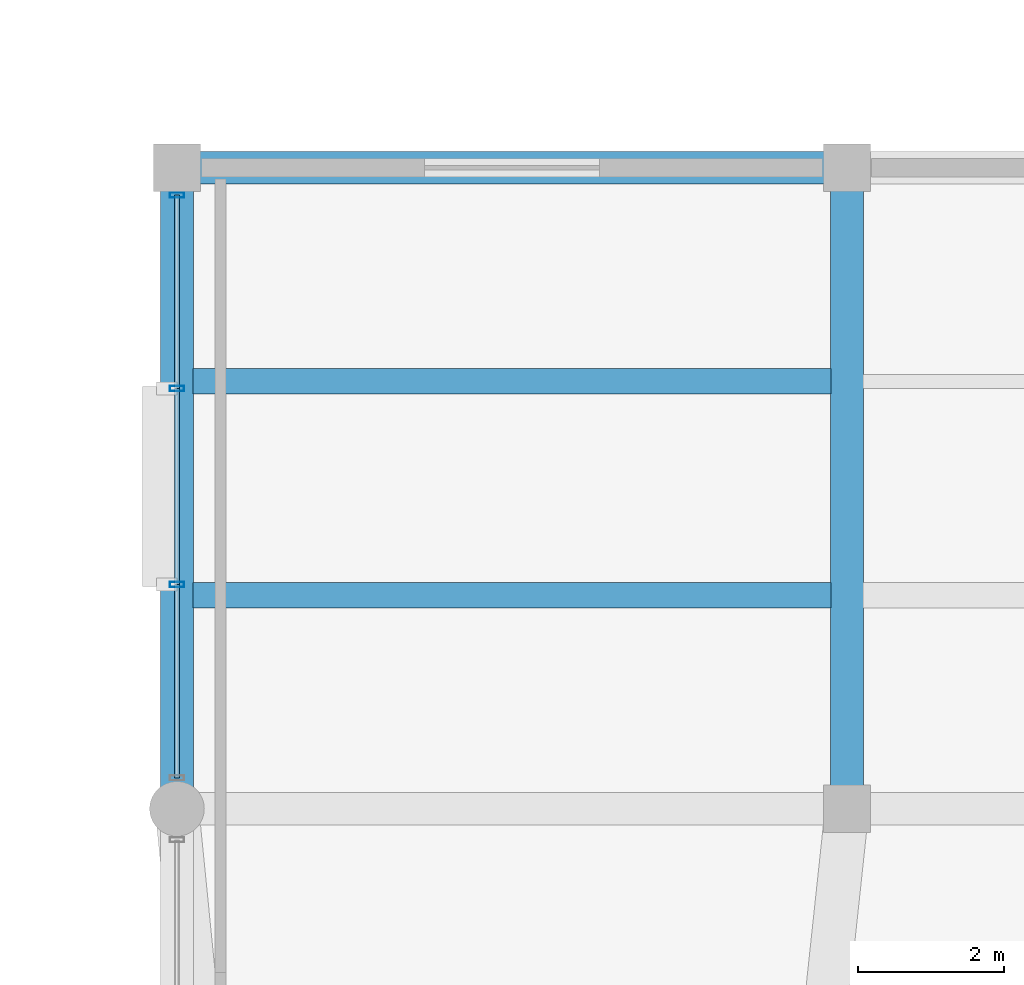
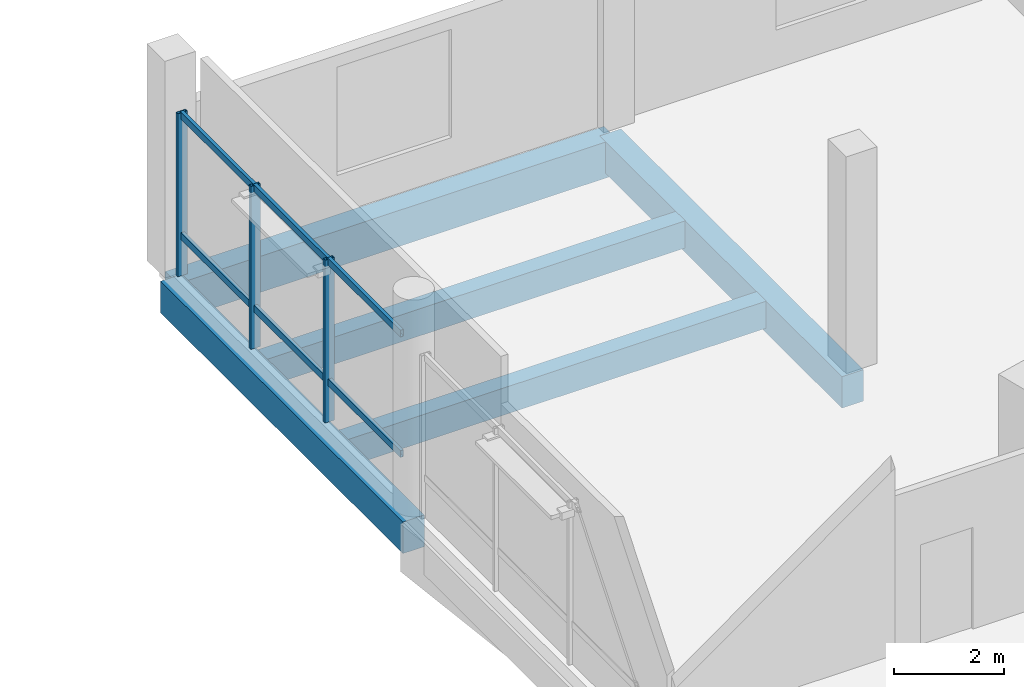
# One storey, part 31 of 71: 9 members, 5 beams, 1 element without a shape of its own.
"""IFC4 building model written with IfcOpenShell, lengths in metres."""

from ifc_helpers import new_model, si_unit, direction, frame, origin, origin_2d, place, context, subcontext, project, spatial, rectangle, hollow_rectangle, extrude, material, layer, layer_set, material_profile, profile_set, type_object, element, aggregate, save


model = new_model("IFC4")

# Units and contexts
model_context = context("Model", 3, precision=1e-05, world=origin(), true_north=direction((0.0, 1.0)))
body_context = subcontext(model_context, "Body", "Model", "MODEL_VIEW")
ifc_project = project(units=[si_unit("LENGTHUNIT", "METRE"), si_unit("AREAUNIT", "SQUARE_METRE"), si_unit("VOLUMEUNIT", "CUBIC_METRE"), si_unit("PLANEANGLEUNIT", "RADIAN"), si_unit("MASSUNIT", "GRAM", prefix="KILO")], contexts=[model_context])

# Site, building, storey
site_placement = place(None, origin())
site = spatial("IfcSite", under=ifc_project, at=site_placement, CompositionType="ELEMENT")
building_placement = place(site_placement, origin())
building = spatial("IfcBuilding", under=site, at=building_placement, Name="Meriwether Solvik Hall", CompositionType="ELEMENT")
storey_placement = place(building_placement, frame((0.0, 0.0, 5.10009765625)))
storey = spatial("IfcBuildingStorey", under=building, at=storey_placement, Name="L01", CompositionType="ELEMENT", Elevation=5.10009765625)

# Beams
ifc_material_1 = material(Name="Concrete C40/50", Category="concrete")
ifc_material_profile_1 = material_profile(ifc_material_1, rectangle(XDim=0.35009765625, YDim=0.60009765625, at=origin_2d()), Name="RCB-350X600")
ifc_profile_set_1 = profile_set([ifc_material_profile_1], Name="Concrete C40/50")
beam_type_1 = type_object("IfcBeamType", Name="BM-RC-350X600", PredefinedType="JOIST", material=ifc_profile_set_1)
for number, where, z_axis, x_axis, name in (
    (1, (59.6201171875, 86.933349609375, -0.60009765625), (1.0, 0.0, 0.0), (0.0, 1.0, 0.0), "Secondary Floor Joist 7/J_J1 (L01)"),
    (2, (59.6201171875, 89.86669921875, -0.60009765625), (1.0, 0.0, 0.0), (0.0, 1.0, 0.0), "Secondary Floor Joist 7/J_J2 (L01)"),
):
    element("IfcBeam", number, at=place(storey_placement, frame(where, z_axis=z_axis, x_axis=x_axis)), inside=storey, type_object=beam_type_1, Name=name, PredefinedType="JOIST", context=body_context, shape_type="SweptSolid", body=[
        extrude(rectangle(XDim=0.35009765625, YDim=0.60009765625, at=origin_2d()), origin(), (0.0, 0.0, 1.0), 8.759765625),
    ])
ifc_material_2 = material(Name="Concrete C40/50", Category="concrete")
ifc_material_profile_2 = material_profile(ifc_material_2, rectangle(XDim=0.449951171875, YDim=0.699951171875, at=origin_2d()), Name="RCB-450X700")
ifc_profile_set_2 = profile_set([ifc_material_profile_2], Name="Concrete C40/50")
beam_type_2 = type_object("IfcBeamType", Name="BM-RC-450X700", PredefinedType="BEAM", material=ifc_profile_set_2)
for number, where, z_axis, x_axis, name in (
    (3, (59.39990234375, 84.0, -0.650146484375), (0.0, 1.0, 0.0), (-1.0, 0.0, 0.0), "Podium Girder 7:J-K (L01)"),
    (4, (68.60009765625, 84.0, -0.650146484375), (0.0, 1.0, 0.0), (-1.0, 0.0, 0.0), "Podium Girder 8:J-K (L01)"),
):
    element("IfcBeam", number, at=place(storey_placement, frame(where, z_axis=z_axis, x_axis=x_axis)), inside=storey, type_object=beam_type_2, Name=name, PredefinedType="BEAM", context=body_context, shape_type="SweptSolid", body=[
        extrude(rectangle(XDim=0.449951171875, YDim=0.699951171875, at=origin_2d()), origin(), (0.0, 0.0, 1.0), 8.800048828125),
    ])
ifc_material_3 = material(Name="Concrete C40/50", Category="concrete")
ifc_material_profile_3 = material_profile(ifc_material_3, rectangle(XDim=0.449951171875, YDim=0.800048828125, at=origin_2d()), Name="RCB-450X800")
ifc_profile_set_3 = profile_set([ifc_material_profile_3], Name="Concrete C40/50")
beam_type_3 = type_object("IfcBeamType", Name="BM-RC-450X800", PredefinedType="BEAM", material=ifc_profile_set_3)
beam_placement = place(storey_placement, frame((59.39990234375, 92.800048828125, -0.7001953125), z_axis=(1.0, 0.0, 0.0), x_axis=(0.0, 1.0, 0.0)))
element("IfcBeam", 5, at=beam_placement, inside=storey, type_object=beam_type_3, Name="Podium Girder K:7-8 (L01)", PredefinedType="BEAM", context=body_context, shape_type="SweptSolid", body=[
    extrude(rectangle(XDim=0.449951171875, YDim=0.800048828125, at=origin_2d()), origin(), (0.0, 0.0, 1.0), 9.2001953125),
])

# Curtain wall, members
ifc_material_4 = material(Name="Thermally Broken Anodised Aluminium 6063-T6 and Low-E Glass", Category="aluminium")
ifc_layer = layer(ifc_material_4, 0.179931640625)
ifc_layer_set = layer_set([ifc_layer], Name="Thermally Broken Anodised Aluminium 6063-T6 and Low-E Glass")
curtain_wall_type = type_object("IfcCurtainWallType", Name="CW-SF-POD-B", PredefinedType="USERDEFINED", material=ifc_layer_set)
curtain_wall_placement = place(storey_placement, origin())
curtain_wall = element("IfcCurtainWall", 6, at=curtain_wall_placement, inside=storey, type_object=curtain_wall_type, Name="Curtain Wall wing_Y7_10_45 (L01)", ObjectType="STICK STOREFRONT GLAZING", PredefinedType="USERDEFINED")
ifc_material_5 = material(Name="Anodised Aluminium 6063-T6", Category="aluminium")
ifc_material_profile_4 = material_profile(ifc_material_5, hollow_rectangle(XDim=0.070068359375, YDim=0.199951171875, WallThickness=0.0048828125, at=origin_2d()), Name="CWM-70X200")
ifc_profile_set_4 = profile_set([ifc_material_profile_4], Name="Anodised Aluminium 6063-T6")
member_type_1 = type_object("IfcMemberType", Name="CW-MUL-70X200", PredefinedType="MULLION", material=ifc_profile_set_4)
member_1_placement = place(storey_placement, frame((59.39990234375, 87.0791015625, 0.0), z_axis=(0.0, 0.0, 1.0), x_axis=(0.0, 1.0, 0.0)))
member_1 = element("IfcMember", 7, at=member_1_placement, type_object=member_type_1, Name="Curtain Wall Mullion 2", PredefinedType="MULLION", context=body_context, shape_type="SweptSolid", body=[
    extrude(hollow_rectangle(XDim=0.070068359375, YDim=0.199951171875, WallThickness=0.0048828125, at=origin_2d()), origin(), (0.0, 0.0, 1.0), 3.60986328125),
])
member_2_placement = place(storey_placement, frame((59.39990234375, 89.77099609375, 0.0), z_axis=(0.0, 0.0, 1.0), x_axis=(0.0, 1.0, 0.0)))
member_2 = element("IfcMember", 8, at=member_2_placement, type_object=member_type_1, Name="Curtain Wall Mullion 3", PredefinedType="MULLION", context=body_context, shape_type="SweptSolid", body=[
    extrude(hollow_rectangle(XDim=0.070068359375, YDim=0.199951171875, WallThickness=0.0048828125, at=origin_2d()), origin(), (0.0, 0.0, 1.0), 3.60986328125),
])
member_3_placement = place(storey_placement, frame((59.39990234375, 92.425048828125, 0.0), z_axis=(0.0, 0.0, 1.0), x_axis=(0.0, 1.0, 0.0)))
member_3 = element("IfcMember", 9, at=member_3_placement, type_object=member_type_1, Name="Curtain Wall Mullion 4", PredefinedType="MULLION", context=body_context, shape_type="SweptSolid", body=[
    extrude(hollow_rectangle(XDim=0.070068359375, YDim=0.199951171875, WallThickness=0.0048828125, at=origin_2d()), origin(), (0.0, 0.0, 1.0), 3.60986328125),
])
ifc_material_6 = material(Name="Anodised Aluminium 6063-T6", Category="aluminium")
ifc_material_profile_5 = material_profile(ifc_material_6, hollow_rectangle(XDim=0.070068359375, YDim=0.14990234375, WallThickness=0.0048828125, at=origin_2d()), Name="CWT-70X150")
ifc_profile_set_5 = profile_set([ifc_material_profile_5], Name="Anodised Aluminium 6063-T6")
member_type_2 = type_object("IfcMemberType", Name="CW-TRN-70X150", PredefinedType="USERDEFINED", material=ifc_profile_set_5)
member_4_placement = place(storey_placement, frame((59.39990234375, 84.425048828125, 0.8798828125), z_axis=(0.0, 1.0, 0.0), x_axis=(-1.0, 0.0, 0.0)))
member_4 = element("IfcMember", 10, at=member_4_placement, type_object=member_type_2, Name="Curtain Wall Transom 1-sill", ObjectType="TRANSOM", PredefinedType="USERDEFINED", context=body_context, shape_type="SweptSolid", body=[
    extrude(hollow_rectangle(XDim=0.070068359375, YDim=0.14990234375, WallThickness=0.0048828125, at=origin_2d()), origin(), (0.0, 0.0, 1.0), 2.654052734375),
])
member_5_placement = place(storey_placement, frame((59.39990234375, 84.425048828125, 3.5498046875), z_axis=(0.0, 1.0, 0.0), x_axis=(-1.0, 0.0, 0.0)))
member_5 = element("IfcMember", 11, at=member_5_placement, type_object=member_type_2, Name="Curtain Wall Transom 1-head", ObjectType="TRANSOM", PredefinedType="USERDEFINED", context=body_context, shape_type="SweptSolid", body=[
    extrude(hollow_rectangle(XDim=0.070068359375, YDim=0.14990234375, WallThickness=0.0048828125, at=origin_2d()), origin(), (0.0, 0.0, 1.0), 2.654052734375),
])
member_6_placement = place(storey_placement, frame((59.39990234375, 87.0791015625, 0.8798828125), z_axis=(0.0, 1.0, 0.0), x_axis=(-1.0, 0.0, 0.0)))
member_6 = element("IfcMember", 12, at=member_6_placement, type_object=member_type_2, Name="Curtain Wall Transom 2-sill", ObjectType="TRANSOM", PredefinedType="USERDEFINED", context=body_context, shape_type="SweptSolid", body=[
    extrude(hollow_rectangle(XDim=0.070068359375, YDim=0.14990234375, WallThickness=0.0048828125, at=origin_2d()), origin(), (0.0, 0.0, 1.0), 2.69189453125),
])
member_7_placement = place(storey_placement, frame((59.39990234375, 87.0791015625, 3.5498046875), z_axis=(0.0, 1.0, 0.0), x_axis=(-1.0, 0.0, 0.0)))
member_7 = element("IfcMember", 13, at=member_7_placement, type_object=member_type_2, Name="Curtain Wall Transom 2-head", ObjectType="TRANSOM", PredefinedType="USERDEFINED", context=body_context, shape_type="SweptSolid", body=[
    extrude(hollow_rectangle(XDim=0.070068359375, YDim=0.14990234375, WallThickness=0.0048828125, at=origin_2d()), origin(), (0.0, 0.0, 1.0), 2.69189453125),
])
member_8_placement = place(storey_placement, frame((59.39990234375, 89.77099609375, 0.8798828125), z_axis=(0.0, 1.0, 0.0), x_axis=(-1.0, 0.0, 0.0)))
member_8 = element("IfcMember", 14, at=member_8_placement, type_object=member_type_2, Name="Curtain Wall Transom 3-sill", ObjectType="TRANSOM", PredefinedType="USERDEFINED", context=body_context, shape_type="SweptSolid", body=[
    extrude(hollow_rectangle(XDim=0.070068359375, YDim=0.14990234375, WallThickness=0.0048828125, at=origin_2d()), origin(), (0.0, 0.0, 1.0), 2.654052734375),
])
member_9_placement = place(storey_placement, frame((59.39990234375, 89.77099609375, 3.5498046875), z_axis=(0.0, 1.0, 0.0), x_axis=(-1.0, 0.0, 0.0)))
member_9 = element("IfcMember", 15, at=member_9_placement, type_object=member_type_2, Name="Curtain Wall Transom 3-head", ObjectType="TRANSOM", PredefinedType="USERDEFINED", context=body_context, shape_type="SweptSolid", body=[
    extrude(hollow_rectangle(XDim=0.070068359375, YDim=0.14990234375, WallThickness=0.0048828125, at=origin_2d()), origin(), (0.0, 0.0, 1.0), 2.654052734375),
])
aggregate(curtain_wall, [member_1, member_2, member_3, member_4, member_5, member_6, member_7, member_8, member_9])

save(model, "model.ifc")
